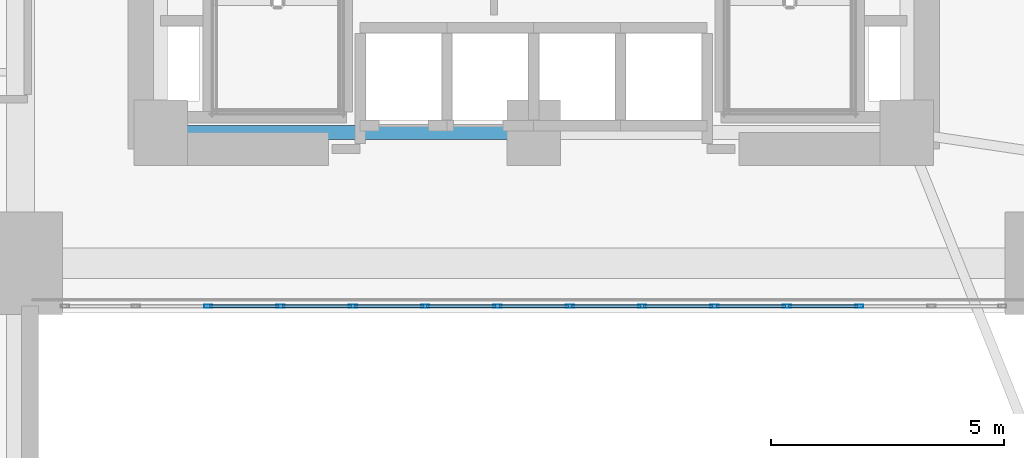
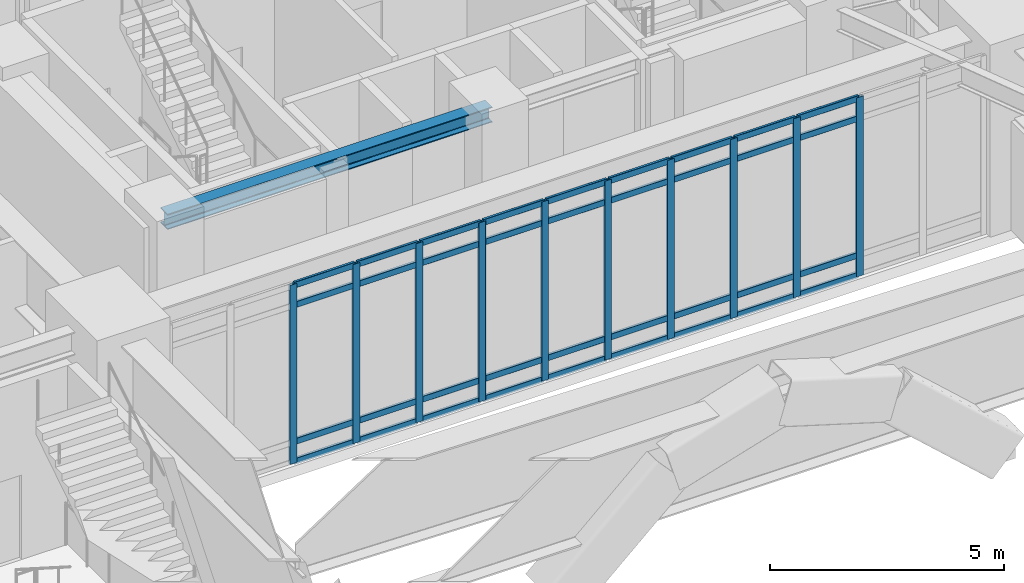
# One storey, part 6 of 25: 46 members, 1 beam, 1 element without a shape of its own.
"""IFC4 building model written with IfcOpenShell, lengths in metres."""

import ifcopenshell
import ifcopenshell.guid

model = None  # the IFC model being written
_history = None  # IfcOwnerHistory: only IFC2X3 demands one
_inside = {}  # id of a spatial element -> (the spatial element, [elements in it])
_under = {}  # id of a project, library or spatial element -> (it, [spatial elements below it])
_declared = {}  # id of a project -> (the project, [libraries it declares])
_typed = {}  # id of a type object -> (the type object, [elements of that type])
_made_of = {}  # id of a material, layer set ... -> (it, [elements and type objects made of it])


def new_model(schema):
    """Start an empty IFC model of exactly this schema.

    Asked for "IFC4X3", IfcOpenShell would pick the latest addendum, in which some entities
    have other attributes; the version numbers below select the first issue.
    IFC2X3 requires an IfcOwnerHistory on every rooted entity: one is made here for all.
    """
    global model, _history
    if schema == "IFC4X3":
        model = ifcopenshell.file(schema_version=(4, 3, 0, 0))
    else:
        model = ifcopenshell.file(schema=schema)
    _inside.clear()
    _under.clear()
    _declared.clear()
    _typed.clear()
    _made_of.clear()
    _history = None
    if model.schema == "IFC2X3":
        org = make("IfcOrganization", Name="unknown")
        user = make(
            "IfcPersonAndOrganization",
            ThePerson=make("IfcPerson", FamilyName="unknown"),
            TheOrganization=org,
        )
        app = make(
            "IfcApplication",
            ApplicationDeveloper=org,
            Version="unknown",
            ApplicationFullName="unknown",
            ApplicationIdentifier="unknown",
        )
        _history = make(
            "IfcOwnerHistory",
            OwningUser=user,
            OwningApplication=app,
            ChangeAction="ADDED",
            CreationDate=0,
        )
    return model


def make(cls, **values):
    """One entity of the class cls with the attributes given. An attribute that is None is left unset."""
    return model.create_entity(
        cls, **{name: value for name, value in values.items() if value is not None}
    )


def rooted(cls, **values):
    """An entity with a GlobalId (a new one), such as an element, a storey or a relation."""
    return make(cls, GlobalId=ifcopenshell.guid.new(), OwnerHistory=_history, **values)


def si_unit(unit_type, name, prefix=None):
    """IfcSIUnit, for example si_unit("LENGTHUNIT", "METRE", prefix="MILLI")."""
    return make("IfcSIUnit", UnitType=unit_type, Prefix=prefix, Name=name)


def assignment(units):
    """IfcUnitAssignment: the units of a project."""
    return None if units is None else make("IfcUnitAssignment", Units=units)


def point(xyz):
    """IfcCartesianPoint."""
    return None if xyz is None else make("IfcCartesianPoint", Coordinates=xyz)


def direction(xyz):
    """IfcDirection."""
    return None if xyz is None else make("IfcDirection", DirectionRatios=xyz)


def frame(location, z_axis=None, x_axis=None):
    """IfcAxis2Placement3D, a coordinate frame: its origin and axes. An axis left out is left unset."""
    return make(
        "IfcAxis2Placement3D",
        Location=point(location),
        Axis=direction(z_axis),
        RefDirection=direction(x_axis),
    )


def frame_2d(location, x_axis=None):
    """IfcAxis2Placement2D, a coordinate frame in the plane: its origin and x axis."""
    return make(
        "IfcAxis2Placement2D", Location=point(location), RefDirection=direction(x_axis)
    )


def origin():
    """The frame at (0, 0, 0) with its axes left unset."""
    return frame((0.0, 0.0, 0.0))


def origin_2d():
    """The frame at (0, 0) in the plane with its x axis left unset."""
    return frame_2d((0.0, 0.0))


def place(relative_to, where):
    """IfcLocalPlacement: puts the frame where relative to a parent placement (None: the world)."""
    return make(
        "IfcLocalPlacement", PlacementRelTo=relative_to, RelativePlacement=where
    )


def context(
    kind, dimensions, precision=None, world=None, true_north=None, identifier=None
):
    """IfcGeometricRepresentationContext, for example the 3D "Model" context."""
    return make(
        "IfcGeometricRepresentationContext",
        ContextIdentifier=identifier,
        ContextType=kind,
        CoordinateSpaceDimension=dimensions,
        Precision=precision,
        WorldCoordinateSystem=world,
        TrueNorth=true_north,
    )


def subcontext(parent, identifier, kind, view, scale=None):
    """IfcGeometricRepresentationSubContext, for example "Body" below "Model"."""
    return make(
        "IfcGeometricRepresentationSubContext",
        ContextIdentifier=identifier,
        ContextType=kind,
        ParentContext=parent,
        TargetScale=scale,
        TargetView=view,
    )


def project(units=None, contexts=None):
    """IfcProject with its units and contexts."""
    return rooted(
        "IfcProject",
        Name="project",
        RepresentationContexts=contexts,
        UnitsInContext=assignment(units),
    )


def spatial(cls, under=None, at=None, **own):
    """A site, building, storey or space (cls), placed at a placement, below another one or the project."""
    s = rooted(cls, ObjectPlacement=at, **own)
    if under is not None:
        _under.setdefault(under.id(), (under, []))[1].append(s)
    return s


def profile(cls, at=None, kind="AREA", **sizes):
    """A parametric profile (cls). Its sizes go by their IFC names, for example OverallWidth=200.0."""
    return make(cls, ProfileType=kind, Position=at, **sizes)


def hollow_rectangle(**sizes):
    """IfcRectangleHollowProfileDef."""
    return profile("IfcRectangleHollowProfileDef", **sizes)


def i_section(**sizes):
    """IfcIShapeProfileDef."""
    return profile("IfcIShapeProfileDef", **sizes)


def extrude(swept, where, along, depth):
    """IfcExtrudedAreaSolid: the profile swept, set in the frame where, extruded along a direction by depth."""
    return make(
        "IfcExtrudedAreaSolid",
        SweptArea=swept,
        Position=where,
        ExtrudedDirection=direction(along),
        Depth=depth,
    )


def shape(context_of_items, identifier, shape_type, items):
    """IfcShapeRepresentation: the items that make up one representation, for example the "Body"."""
    return make(
        "IfcShapeRepresentation",
        ContextOfItems=context_of_items,
        RepresentationIdentifier=identifier,
        RepresentationType=shape_type,
        Items=items,
    )


def material(Name=None, Category=None):
    """IfcMaterial."""
    return make("IfcMaterial", Name=Name, Category=Category)


def layer(
    of_material, thickness, ventilated=None, Name=None, Category=None, Priority=None
):
    """IfcMaterialLayer: one layer of a wall or slab, of a material (None: an air gap)."""
    return make(
        "IfcMaterialLayer",
        Material=of_material,
        LayerThickness=thickness,
        IsVentilated=ventilated,
        Name=Name,
        Category=Category,
        Priority=Priority,
    )


def layer_set(layers, Name=None):
    """IfcMaterialLayerSet."""
    return make("IfcMaterialLayerSet", MaterialLayers=layers, LayerSetName=Name)


def material_profile(
    of_material, cross_section, Name=None, Category=None, Priority=None
):
    """IfcMaterialProfile: a cross section and its material."""
    return make(
        "IfcMaterialProfile",
        Name=Name,
        Material=of_material,
        Profile=cross_section,
        Priority=Priority,
        Category=Category,
    )


def profile_set(profiles, Name=None, composite=None):
    """IfcMaterialProfileSet."""
    return make(
        "IfcMaterialProfileSet",
        Name=Name,
        MaterialProfiles=profiles,
        CompositeProfile=composite,
    )


def made_of(thing, what):
    """Note that an element or type object is made of a material, layer set ...; save() writes the relation."""
    if what is not None:
        _made_of.setdefault(what.id(), (what, []))[1].append(thing)
    return thing


def type_object(cls, material=None, **own):
    """A type object (cls), such as IfcWallType, which elements share."""
    return made_of(rooted(cls, **own), material)


def element(
    cls,
    number,
    at=None,
    inside=None,
    cuts=None,
    type_object=None,
    material=None,
    context=None,
    identifier="Body",
    shape_type=None,
    held_by="IfcProductDefinitionShape",
    body=None,
    shapes=None,
    **own,
):
    """One element of the class cls, such as IfcWall. Its Tag is "e" and its number.

    at: its placement. inside: the storey or other place that contains it. cuts: it is an
    opening in that element (IfcRelVoidsElement). A single representation is given by context,
    identifier, shape_type and body (its items); several are given by shapes. held_by: the class
    of the entity that holds the representations. save() writes the other relations.
    """
    e = rooted(cls, Tag="e%d" % number, ObjectPlacement=at, **own)
    if body is not None:
        shapes = [shape(context, identifier, shape_type, body)]
    if shapes is not None:
        e.Representation = make(held_by, Representations=shapes)
    if inside is not None:
        _inside.setdefault(inside.id(), (inside, []))[1].append(e)
    if cuts is not None:
        rooted(
            "IfcRelVoidsElement", RelatingBuildingElement=cuts, RelatedOpeningElement=e
        )
    if type_object is not None:
        _typed.setdefault(type_object.id(), (type_object, []))[1].append(e)
    return made_of(e, material)


def aggregate(whole, parts):
    """IfcRelAggregates: a whole, such as a stair, and the parts it consists of."""
    return rooted("IfcRelAggregates", RelatingObject=whole, RelatedObjects=parts)


def save(model, path):
    """Write the relations noted so far, then the file.

    IfcRelAggregates (storeys below a building ...), IfcRelContainedInSpatialStructure (elements
    in a storey), IfcRelDefinesByType, IfcRelAssociatesMaterial and IfcRelDeclares: one each for
    every whole, place, type object, material and project.
    """
    for whole, parts in _under.values():
        aggregate(whole, parts)
    for where, things in _inside.values():
        rooted(
            "IfcRelContainedInSpatialStructure",
            RelatedElements=things,
            RelatingStructure=where,
        )
    for kind, things in _typed.values():
        rooted("IfcRelDefinesByType", RelatedObjects=things, RelatingType=kind)
    for what, things in _made_of.values():
        rooted("IfcRelAssociatesMaterial", RelatedObjects=things, RelatingMaterial=what)
    for by, libraries in _declared.values():
        rooted("IfcRelDeclares", RelatingContext=by, RelatedDefinitions=libraries)
    model.write(path)


model = new_model("IFC4")

# Units and contexts
model_context = context("Model", 3, precision=1e-05, world=origin(), true_north=direction((0.0, 1.0)))
body_context = subcontext(model_context, "Body", "Model", "MODEL_VIEW")
ifc_project = project(units=[si_unit("LENGTHUNIT", "METRE"), si_unit("AREAUNIT", "SQUARE_METRE"), si_unit("VOLUMEUNIT", "CUBIC_METRE"), si_unit("PLANEANGLEUNIT", "RADIAN"), si_unit("MASSUNIT", "GRAM", prefix="KILO")], contexts=[model_context])

# Site, building, storey
site_placement = place(None, origin())
site = spatial("IfcSite", under=ifc_project, at=site_placement, CompositionType="ELEMENT")
building_placement = place(site_placement, origin())
building = spatial("IfcBuilding", under=site, at=building_placement, Name="Ndelora Gate Hotel", CompositionType="ELEMENT")
storey_placement = place(building_placement, frame((0.0, 0.0, 11.0)))
storey = spatial("IfcBuildingStorey", under=building, at=storey_placement, Name="L02", CompositionType="ELEMENT", Elevation=11.0)

# Beam
ifc_material_1 = material(Name="Steel S355", Category="steel")
ifc_material_profile_1 = material_profile(ifc_material_1, i_section(OverallWidth=0.300048828125, OverallDepth=0.39990234375, WebThickness=0.013427734375, FlangeThickness=0.02392578125, FilletRadius=0.027099609375, at=origin_2d()), Name="HEB 400")
ifc_profile_set_1 = profile_set([ifc_material_profile_1], Name="Steel S355")
beam_type = type_object("IfcBeamType", Name="BM-CORE-400", PredefinedType="BEAM", material=ifc_profile_set_1)
beam_placement = place(storey_placement, frame((-8.0, -6.60009765625, 4.4599609375), z_axis=(1.0, 0.0, 0.0), x_axis=(0.0, 1.0, 0.0)))
element("IfcBeam", 1, at=beam_placement, inside=storey, type_object=beam_type, Name="L02 Core Tie Girder CC1-CC2", PredefinedType="BEAM", context=body_context, shape_type="SweptSolid", body=[
    extrude(i_section(OverallWidth=0.300048828125, OverallDepth=0.39990234375, WebThickness=0.013427734375, FlangeThickness=0.02392578125, FilletRadius=0.027099609375, at=origin_2d()), origin(), (0.0, 0.0, 1.0), 8.0),
])

# Curtain wall, members
ifc_material_2 = material(Name="Bronze Anodised Unitised Aluminium and Low-E Glass", Category="aluminium")
ifc_layer = layer(ifc_material_2, 0.239990234375)
ifc_layer_set = layer_set([ifc_layer], Name="Bronze Anodised Unitised Aluminium and Low-E Glass")
curtain_wall_type = type_object("IfcCurtainWallType", Name="CW-SYS-1", PredefinedType="NOTDEFINED", material=ifc_layer_set)
curtain_wall_placement = place(storey_placement, origin())
curtain_wall = element("IfcCurtainWall", 2, at=curtain_wall_placement, inside=storey, type_object=curtain_wall_type, Name="L02 South Portal Arch Concourse Curtain Wall CW1", PredefinedType="NOTDEFINED")
ifc_material_3 = material(Name="Bronze Anodised Aluminium 6063-T6", Category="aluminium")
ifc_material_profile_2 = material_profile(ifc_material_3, hollow_rectangle(XDim=0.070068359375, YDim=0.179931640625, WallThickness=0.0048828125, InnerFilletRadius=0.0048828125, OuterFilletRadius=0.010009765625, at=origin_2d()), Name="ALU 180x70x5")
ifc_profile_set_2 = profile_set([ifc_material_profile_2], Name="Bronze Anodised Aluminium 6063-T6")
member_type_1 = type_object("IfcMemberType", Name="MB-CW-MUL180", PredefinedType="MULLION", material=ifc_profile_set_2)
member_1_placement = place(storey_placement, frame((-6.978515625, -10.320068359375, -0.00390625), z_axis=(0.0, 0.0, 1.0), x_axis=(0.0, 1.0, 0.0)))
member_1 = element("IfcMember", 3, at=member_1_placement, type_object=member_type_1, Name="CW1 mullion 3", PredefinedType="MULLION", context=body_context, shape_type="SweptSolid", body=[
    extrude(hollow_rectangle(XDim=0.070068359375, YDim=0.179931640625, WallThickness=0.0048828125, InnerFilletRadius=0.0048828125, OuterFilletRadius=0.010009765625, at=origin_2d()), origin(), (0.0, 0.0, 1.0), 4.66796875),
])
member_2_placement = place(storey_placement, frame((-5.427734375, -10.320068359375, -0.00390625), z_axis=(0.0, 0.0, 1.0), x_axis=(0.0, 1.0, 0.0)))
member_2 = element("IfcMember", 4, at=member_2_placement, type_object=member_type_1, Name="CW1 mullion 4", PredefinedType="MULLION", context=body_context, shape_type="SweptSolid", body=[
    extrude(hollow_rectangle(XDim=0.070068359375, YDim=0.179931640625, WallThickness=0.0048828125, InnerFilletRadius=0.0048828125, OuterFilletRadius=0.010009765625, at=origin_2d()), origin(), (0.0, 0.0, 1.0), 4.66796875),
])
member_3_placement = place(storey_placement, frame((-3.876953125, -10.320068359375, -0.00390625), z_axis=(0.0, 0.0, 1.0), x_axis=(0.0, 1.0, 0.0)))
member_3 = element("IfcMember", 5, at=member_3_placement, type_object=member_type_1, Name="CW1 mullion 5", PredefinedType="MULLION", context=body_context, shape_type="SweptSolid", body=[
    extrude(hollow_rectangle(XDim=0.070068359375, YDim=0.179931640625, WallThickness=0.0048828125, InnerFilletRadius=0.0048828125, OuterFilletRadius=0.010009765625, at=origin_2d()), origin(), (0.0, 0.0, 1.0), 4.66796875),
])
member_4_placement = place(storey_placement, frame((-2.326171875, -10.320068359375, -0.00390625), z_axis=(0.0, 0.0, 1.0), x_axis=(0.0, 1.0, 0.0)))
member_4 = element("IfcMember", 6, at=member_4_placement, type_object=member_type_1, Name="CW1 mullion 6", PredefinedType="MULLION", context=body_context, shape_type="SweptSolid", body=[
    extrude(hollow_rectangle(XDim=0.070068359375, YDim=0.179931640625, WallThickness=0.0048828125, InnerFilletRadius=0.0048828125, OuterFilletRadius=0.010009765625, at=origin_2d()), origin(), (0.0, 0.0, 1.0), 4.66796875),
])
member_5_placement = place(storey_placement, frame((-0.775390625, -10.320068359375, -0.00390625), z_axis=(0.0, 0.0, 1.0), x_axis=(0.0, 1.0, 0.0)))
member_5 = element("IfcMember", 7, at=member_5_placement, type_object=member_type_1, Name="CW1 mullion 7", PredefinedType="MULLION", context=body_context, shape_type="SweptSolid", body=[
    extrude(hollow_rectangle(XDim=0.070068359375, YDim=0.179931640625, WallThickness=0.0048828125, InnerFilletRadius=0.0048828125, OuterFilletRadius=0.010009765625, at=origin_2d()), origin(), (0.0, 0.0, 1.0), 4.66796875),
])
member_6_placement = place(storey_placement, frame((0.775390625, -10.320068359375, -0.00390625), z_axis=(0.0, 0.0, 1.0), x_axis=(0.0, 1.0, 0.0)))
member_6 = element("IfcMember", 8, at=member_6_placement, type_object=member_type_1, Name="CW1 mullion 8", PredefinedType="MULLION", context=body_context, shape_type="SweptSolid", body=[
    extrude(hollow_rectangle(XDim=0.070068359375, YDim=0.179931640625, WallThickness=0.0048828125, InnerFilletRadius=0.0048828125, OuterFilletRadius=0.010009765625, at=origin_2d()), origin(), (0.0, 0.0, 1.0), 4.66796875),
])
member_7_placement = place(storey_placement, frame((2.326171875, -10.320068359375, -0.00390625), z_axis=(0.0, 0.0, 1.0), x_axis=(0.0, 1.0, 0.0)))
member_7 = element("IfcMember", 9, at=member_7_placement, type_object=member_type_1, Name="CW1 mullion 9", PredefinedType="MULLION", context=body_context, shape_type="SweptSolid", body=[
    extrude(hollow_rectangle(XDim=0.070068359375, YDim=0.179931640625, WallThickness=0.0048828125, InnerFilletRadius=0.0048828125, OuterFilletRadius=0.010009765625, at=origin_2d()), origin(), (0.0, 0.0, 1.0), 4.66796875),
])
member_8_placement = place(storey_placement, frame((3.876953125, -10.320068359375, -0.00390625), z_axis=(0.0, 0.0, 1.0), x_axis=(0.0, 1.0, 0.0)))
member_8 = element("IfcMember", 10, at=member_8_placement, type_object=member_type_1, Name="CW1 mullion 10", PredefinedType="MULLION", context=body_context, shape_type="SweptSolid", body=[
    extrude(hollow_rectangle(XDim=0.070068359375, YDim=0.179931640625, WallThickness=0.0048828125, InnerFilletRadius=0.0048828125, OuterFilletRadius=0.010009765625, at=origin_2d()), origin(), (0.0, 0.0, 1.0), 4.66796875),
])
member_9_placement = place(storey_placement, frame((5.427734375, -10.320068359375, -0.00390625), z_axis=(0.0, 0.0, 1.0), x_axis=(0.0, 1.0, 0.0)))
member_9 = element("IfcMember", 11, at=member_9_placement, type_object=member_type_1, Name="CW1 mullion 11", PredefinedType="MULLION", context=body_context, shape_type="SweptSolid", body=[
    extrude(hollow_rectangle(XDim=0.070068359375, YDim=0.179931640625, WallThickness=0.0048828125, InnerFilletRadius=0.0048828125, OuterFilletRadius=0.010009765625, at=origin_2d()), origin(), (0.0, 0.0, 1.0), 4.66796875),
])
member_10_placement = place(storey_placement, frame((6.978515625, -10.320068359375, -0.00390625), z_axis=(0.0, 0.0, 1.0), x_axis=(0.0, 1.0, 0.0)))
member_10 = element("IfcMember", 12, at=member_10_placement, type_object=member_type_1, Name="CW1 mullion 12", PredefinedType="MULLION", context=body_context, shape_type="SweptSolid", body=[
    extrude(hollow_rectangle(XDim=0.070068359375, YDim=0.179931640625, WallThickness=0.0048828125, InnerFilletRadius=0.0048828125, OuterFilletRadius=0.010009765625, at=origin_2d()), origin(), (0.0, 0.0, 1.0), 4.66796875),
])
ifc_material_profile_3 = material_profile(ifc_material_3, hollow_rectangle(XDim=0.06494140625, YDim=0.159912109375, WallThickness=0.00390625, InnerFilletRadius=0.00390625, OuterFilletRadius=0.008056640625, at=origin_2d()), Name="ALU 160x65x4")
ifc_profile_set_3 = profile_set([ifc_material_profile_3], Name="Bronze Anodised Aluminium 6063-T6")
member_type_2 = type_object("IfcMemberType", Name="MB-CW-TRN150", PredefinedType="USERDEFINED", material=ifc_profile_set_3)
member_11_placement = place(storey_placement, frame((-6.949462890625, -10.320068359375, 0.032470703125), z_axis=(1.0, 0.0, 0.0), x_axis=(0.0, 1.0, 0.0)))
member_11 = element("IfcMember", 13, at=member_11_placement, type_object=member_type_2, Name="CW1 transom 3.1", ObjectType="TRANSOM", PredefinedType="USERDEFINED", context=body_context, shape_type="SweptSolid", body=[
    extrude(hollow_rectangle(XDim=0.06494140625, YDim=0.159912109375, WallThickness=0.00390625, InnerFilletRadius=0.00390625, OuterFilletRadius=0.008056640625, at=origin_2d()), origin(), (0.0, 0.0, 1.0), 1.49267578125),
])
member_12_placement = place(storey_placement, frame((-6.949462890625, -10.320068359375, 0.550048828125), z_axis=(1.0, 0.0, 0.0), x_axis=(0.0, 1.0, 0.0)))
member_12 = element("IfcMember", 14, at=member_12_placement, type_object=member_type_2, Name="CW1 transom 3.2", ObjectType="TRANSOM", PredefinedType="USERDEFINED", context=body_context, shape_type="SweptSolid", body=[
    extrude(hollow_rectangle(XDim=0.06494140625, YDim=0.159912109375, WallThickness=0.00390625, InnerFilletRadius=0.00390625, OuterFilletRadius=0.008056640625, at=origin_2d()), origin(), (0.0, 0.0, 1.0), 1.49267578125),
])
member_13_placement = place(storey_placement, frame((-6.949462890625, -10.320068359375, 4.110107421875), z_axis=(1.0, 0.0, 0.0), x_axis=(0.0, 1.0, 0.0)))
member_13 = element("IfcMember", 15, at=member_13_placement, type_object=member_type_2, Name="CW1 transom 3.3", ObjectType="TRANSOM", PredefinedType="USERDEFINED", context=body_context, shape_type="SweptSolid", body=[
    extrude(hollow_rectangle(XDim=0.06494140625, YDim=0.159912109375, WallThickness=0.00390625, InnerFilletRadius=0.00390625, OuterFilletRadius=0.008056640625, at=origin_2d()), origin(), (0.0, 0.0, 1.0), 1.49267578125),
])
member_14_placement = place(storey_placement, frame((-6.949462890625, -10.320068359375, 4.62744140625), z_axis=(1.0, 0.0, 0.0), x_axis=(0.0, 1.0, 0.0)))
member_14 = element("IfcMember", 16, at=member_14_placement, type_object=member_type_2, Name="CW1 transom 3.4", ObjectType="TRANSOM", PredefinedType="USERDEFINED", context=body_context, shape_type="SweptSolid", body=[
    extrude(hollow_rectangle(XDim=0.06494140625, YDim=0.159912109375, WallThickness=0.00390625, InnerFilletRadius=0.00390625, OuterFilletRadius=0.008056640625, at=origin_2d()), origin(), (0.0, 0.0, 1.0), 1.49267578125),
])
member_15_placement = place(storey_placement, frame((-5.398681640625, -10.320068359375, 0.032470703125), z_axis=(1.0, 0.0, 0.0), x_axis=(0.0, 1.0, 0.0)))
member_15 = element("IfcMember", 17, at=member_15_placement, type_object=member_type_2, Name="CW1 transom 4.1", ObjectType="TRANSOM", PredefinedType="USERDEFINED", context=body_context, shape_type="SweptSolid", body=[
    extrude(hollow_rectangle(XDim=0.06494140625, YDim=0.159912109375, WallThickness=0.00390625, InnerFilletRadius=0.00390625, OuterFilletRadius=0.008056640625, at=origin_2d()), origin(), (0.0, 0.0, 1.0), 1.49267578125),
])
member_16_placement = place(storey_placement, frame((-5.398681640625, -10.320068359375, 0.550048828125), z_axis=(1.0, 0.0, 0.0), x_axis=(0.0, 1.0, 0.0)))
member_16 = element("IfcMember", 18, at=member_16_placement, type_object=member_type_2, Name="CW1 transom 4.2", ObjectType="TRANSOM", PredefinedType="USERDEFINED", context=body_context, shape_type="SweptSolid", body=[
    extrude(hollow_rectangle(XDim=0.06494140625, YDim=0.159912109375, WallThickness=0.00390625, InnerFilletRadius=0.00390625, OuterFilletRadius=0.008056640625, at=origin_2d()), origin(), (0.0, 0.0, 1.0), 1.49267578125),
])
member_17_placement = place(storey_placement, frame((-5.398681640625, -10.320068359375, 4.110107421875), z_axis=(1.0, 0.0, 0.0), x_axis=(0.0, 1.0, 0.0)))
member_17 = element("IfcMember", 19, at=member_17_placement, type_object=member_type_2, Name="CW1 transom 4.3", ObjectType="TRANSOM", PredefinedType="USERDEFINED", context=body_context, shape_type="SweptSolid", body=[
    extrude(hollow_rectangle(XDim=0.06494140625, YDim=0.159912109375, WallThickness=0.00390625, InnerFilletRadius=0.00390625, OuterFilletRadius=0.008056640625, at=origin_2d()), origin(), (0.0, 0.0, 1.0), 1.49267578125),
])
member_18_placement = place(storey_placement, frame((-5.398681640625, -10.320068359375, 4.62744140625), z_axis=(1.0, 0.0, 0.0), x_axis=(0.0, 1.0, 0.0)))
member_18 = element("IfcMember", 20, at=member_18_placement, type_object=member_type_2, Name="CW1 transom 4.4", ObjectType="TRANSOM", PredefinedType="USERDEFINED", context=body_context, shape_type="SweptSolid", body=[
    extrude(hollow_rectangle(XDim=0.06494140625, YDim=0.159912109375, WallThickness=0.00390625, InnerFilletRadius=0.00390625, OuterFilletRadius=0.008056640625, at=origin_2d()), origin(), (0.0, 0.0, 1.0), 1.49267578125),
])
member_19_placement = place(storey_placement, frame((-3.847900390625, -10.320068359375, 0.032470703125), z_axis=(1.0, 0.0, 0.0), x_axis=(0.0, 1.0, 0.0)))
member_19 = element("IfcMember", 21, at=member_19_placement, type_object=member_type_2, Name="CW1 transom 5.1", ObjectType="TRANSOM", PredefinedType="USERDEFINED", context=body_context, shape_type="SweptSolid", body=[
    extrude(hollow_rectangle(XDim=0.06494140625, YDim=0.159912109375, WallThickness=0.00390625, InnerFilletRadius=0.00390625, OuterFilletRadius=0.008056640625, at=origin_2d()), origin(), (0.0, 0.0, 1.0), 1.49267578125),
])
member_20_placement = place(storey_placement, frame((-3.847900390625, -10.320068359375, 0.550048828125), z_axis=(1.0, 0.0, 0.0), x_axis=(0.0, 1.0, 0.0)))
member_20 = element("IfcMember", 22, at=member_20_placement, type_object=member_type_2, Name="CW1 transom 5.2", ObjectType="TRANSOM", PredefinedType="USERDEFINED", context=body_context, shape_type="SweptSolid", body=[
    extrude(hollow_rectangle(XDim=0.06494140625, YDim=0.159912109375, WallThickness=0.00390625, InnerFilletRadius=0.00390625, OuterFilletRadius=0.008056640625, at=origin_2d()), origin(), (0.0, 0.0, 1.0), 1.49267578125),
])
member_21_placement = place(storey_placement, frame((-3.847900390625, -10.320068359375, 4.110107421875), z_axis=(1.0, 0.0, 0.0), x_axis=(0.0, 1.0, 0.0)))
member_21 = element("IfcMember", 23, at=member_21_placement, type_object=member_type_2, Name="CW1 transom 5.3", ObjectType="TRANSOM", PredefinedType="USERDEFINED", context=body_context, shape_type="SweptSolid", body=[
    extrude(hollow_rectangle(XDim=0.06494140625, YDim=0.159912109375, WallThickness=0.00390625, InnerFilletRadius=0.00390625, OuterFilletRadius=0.008056640625, at=origin_2d()), origin(), (0.0, 0.0, 1.0), 1.49267578125),
])
member_22_placement = place(storey_placement, frame((-3.847900390625, -10.320068359375, 4.62744140625), z_axis=(1.0, 0.0, 0.0), x_axis=(0.0, 1.0, 0.0)))
member_22 = element("IfcMember", 24, at=member_22_placement, type_object=member_type_2, Name="CW1 transom 5.4", ObjectType="TRANSOM", PredefinedType="USERDEFINED", context=body_context, shape_type="SweptSolid", body=[
    extrude(hollow_rectangle(XDim=0.06494140625, YDim=0.159912109375, WallThickness=0.00390625, InnerFilletRadius=0.00390625, OuterFilletRadius=0.008056640625, at=origin_2d()), origin(), (0.0, 0.0, 1.0), 1.49267578125),
])
member_23_placement = place(storey_placement, frame((-2.297119140625, -10.320068359375, 0.032470703125), z_axis=(1.0, 0.0, 0.0), x_axis=(0.0, 1.0, 0.0)))
member_23 = element("IfcMember", 25, at=member_23_placement, type_object=member_type_2, Name="CW1 transom 6.1", ObjectType="TRANSOM", PredefinedType="USERDEFINED", context=body_context, shape_type="SweptSolid", body=[
    extrude(hollow_rectangle(XDim=0.06494140625, YDim=0.159912109375, WallThickness=0.00390625, InnerFilletRadius=0.00390625, OuterFilletRadius=0.008056640625, at=origin_2d()), origin(), (0.0, 0.0, 1.0), 1.49267578125),
])
member_24_placement = place(storey_placement, frame((-2.297119140625, -10.320068359375, 0.550048828125), z_axis=(1.0, 0.0, 0.0), x_axis=(0.0, 1.0, 0.0)))
member_24 = element("IfcMember", 26, at=member_24_placement, type_object=member_type_2, Name="CW1 transom 6.2", ObjectType="TRANSOM", PredefinedType="USERDEFINED", context=body_context, shape_type="SweptSolid", body=[
    extrude(hollow_rectangle(XDim=0.06494140625, YDim=0.159912109375, WallThickness=0.00390625, InnerFilletRadius=0.00390625, OuterFilletRadius=0.008056640625, at=origin_2d()), origin(), (0.0, 0.0, 1.0), 1.49267578125),
])
member_25_placement = place(storey_placement, frame((-2.297119140625, -10.320068359375, 4.110107421875), z_axis=(1.0, 0.0, 0.0), x_axis=(0.0, 1.0, 0.0)))
member_25 = element("IfcMember", 27, at=member_25_placement, type_object=member_type_2, Name="CW1 transom 6.3", ObjectType="TRANSOM", PredefinedType="USERDEFINED", context=body_context, shape_type="SweptSolid", body=[
    extrude(hollow_rectangle(XDim=0.06494140625, YDim=0.159912109375, WallThickness=0.00390625, InnerFilletRadius=0.00390625, OuterFilletRadius=0.008056640625, at=origin_2d()), origin(), (0.0, 0.0, 1.0), 1.49267578125),
])
member_26_placement = place(storey_placement, frame((-2.297119140625, -10.320068359375, 4.62744140625), z_axis=(1.0, 0.0, 0.0), x_axis=(0.0, 1.0, 0.0)))
member_26 = element("IfcMember", 28, at=member_26_placement, type_object=member_type_2, Name="CW1 transom 6.4", ObjectType="TRANSOM", PredefinedType="USERDEFINED", context=body_context, shape_type="SweptSolid", body=[
    extrude(hollow_rectangle(XDim=0.06494140625, YDim=0.159912109375, WallThickness=0.00390625, InnerFilletRadius=0.00390625, OuterFilletRadius=0.008056640625, at=origin_2d()), origin(), (0.0, 0.0, 1.0), 1.49267578125),
])
member_27_placement = place(storey_placement, frame((-0.746337890625, -10.320068359375, 0.032470703125), z_axis=(1.0, 0.0, 0.0), x_axis=(0.0, 1.0, 0.0)))
member_27 = element("IfcMember", 29, at=member_27_placement, type_object=member_type_2, Name="CW1 transom 7.1", ObjectType="TRANSOM", PredefinedType="USERDEFINED", context=body_context, shape_type="SweptSolid", body=[
    extrude(hollow_rectangle(XDim=0.06494140625, YDim=0.159912109375, WallThickness=0.00390625, InnerFilletRadius=0.00390625, OuterFilletRadius=0.008056640625, at=origin_2d()), origin(), (0.0, 0.0, 1.0), 1.49267578125),
])
member_28_placement = place(storey_placement, frame((-0.746337890625, -10.320068359375, 0.550048828125), z_axis=(1.0, 0.0, 0.0), x_axis=(0.0, 1.0, 0.0)))
member_28 = element("IfcMember", 30, at=member_28_placement, type_object=member_type_2, Name="CW1 transom 7.2", ObjectType="TRANSOM", PredefinedType="USERDEFINED", context=body_context, shape_type="SweptSolid", body=[
    extrude(hollow_rectangle(XDim=0.06494140625, YDim=0.159912109375, WallThickness=0.00390625, InnerFilletRadius=0.00390625, OuterFilletRadius=0.008056640625, at=origin_2d()), origin(), (0.0, 0.0, 1.0), 1.49267578125),
])
member_29_placement = place(storey_placement, frame((-0.746337890625, -10.320068359375, 4.110107421875), z_axis=(1.0, 0.0, 0.0), x_axis=(0.0, 1.0, 0.0)))
member_29 = element("IfcMember", 31, at=member_29_placement, type_object=member_type_2, Name="CW1 transom 7.3", ObjectType="TRANSOM", PredefinedType="USERDEFINED", context=body_context, shape_type="SweptSolid", body=[
    extrude(hollow_rectangle(XDim=0.06494140625, YDim=0.159912109375, WallThickness=0.00390625, InnerFilletRadius=0.00390625, OuterFilletRadius=0.008056640625, at=origin_2d()), origin(), (0.0, 0.0, 1.0), 1.49267578125),
])
member_30_placement = place(storey_placement, frame((-0.746337890625, -10.320068359375, 4.62744140625), z_axis=(1.0, 0.0, 0.0), x_axis=(0.0, 1.0, 0.0)))
member_30 = element("IfcMember", 32, at=member_30_placement, type_object=member_type_2, Name="CW1 transom 7.4", ObjectType="TRANSOM", PredefinedType="USERDEFINED", context=body_context, shape_type="SweptSolid", body=[
    extrude(hollow_rectangle(XDim=0.06494140625, YDim=0.159912109375, WallThickness=0.00390625, InnerFilletRadius=0.00390625, OuterFilletRadius=0.008056640625, at=origin_2d()), origin(), (0.0, 0.0, 1.0), 1.49267578125),
])
member_31_placement = place(storey_placement, frame((0.804443359375, -10.320068359375, 0.032470703125), z_axis=(1.0, 0.0, 0.0), x_axis=(0.0, 1.0, 0.0)))
member_31 = element("IfcMember", 33, at=member_31_placement, type_object=member_type_2, Name="CW1 transom 8.1", ObjectType="TRANSOM", PredefinedType="USERDEFINED", context=body_context, shape_type="SweptSolid", body=[
    extrude(hollow_rectangle(XDim=0.06494140625, YDim=0.159912109375, WallThickness=0.00390625, InnerFilletRadius=0.00390625, OuterFilletRadius=0.008056640625, at=origin_2d()), origin(), (0.0, 0.0, 1.0), 1.49267578125),
])
member_32_placement = place(storey_placement, frame((0.804443359375, -10.320068359375, 0.550048828125), z_axis=(1.0, 0.0, 0.0), x_axis=(0.0, 1.0, 0.0)))
member_32 = element("IfcMember", 34, at=member_32_placement, type_object=member_type_2, Name="CW1 transom 8.2", ObjectType="TRANSOM", PredefinedType="USERDEFINED", context=body_context, shape_type="SweptSolid", body=[
    extrude(hollow_rectangle(XDim=0.06494140625, YDim=0.159912109375, WallThickness=0.00390625, InnerFilletRadius=0.00390625, OuterFilletRadius=0.008056640625, at=origin_2d()), origin(), (0.0, 0.0, 1.0), 1.49267578125),
])
member_33_placement = place(storey_placement, frame((0.804443359375, -10.320068359375, 4.110107421875), z_axis=(1.0, 0.0, 0.0), x_axis=(0.0, 1.0, 0.0)))
member_33 = element("IfcMember", 35, at=member_33_placement, type_object=member_type_2, Name="CW1 transom 8.3", ObjectType="TRANSOM", PredefinedType="USERDEFINED", context=body_context, shape_type="SweptSolid", body=[
    extrude(hollow_rectangle(XDim=0.06494140625, YDim=0.159912109375, WallThickness=0.00390625, InnerFilletRadius=0.00390625, OuterFilletRadius=0.008056640625, at=origin_2d()), origin(), (0.0, 0.0, 1.0), 1.49267578125),
])
member_34_placement = place(storey_placement, frame((0.804443359375, -10.320068359375, 4.62744140625), z_axis=(1.0, 0.0, 0.0), x_axis=(0.0, 1.0, 0.0)))
member_34 = element("IfcMember", 36, at=member_34_placement, type_object=member_type_2, Name="CW1 transom 8.4", ObjectType="TRANSOM", PredefinedType="USERDEFINED", context=body_context, shape_type="SweptSolid", body=[
    extrude(hollow_rectangle(XDim=0.06494140625, YDim=0.159912109375, WallThickness=0.00390625, InnerFilletRadius=0.00390625, OuterFilletRadius=0.008056640625, at=origin_2d()), origin(), (0.0, 0.0, 1.0), 1.49267578125),
])
member_35_placement = place(storey_placement, frame((2.355224609375, -10.320068359375, 0.032470703125), z_axis=(1.0, 0.0, 0.0), x_axis=(0.0, 1.0, 0.0)))
member_35 = element("IfcMember", 37, at=member_35_placement, type_object=member_type_2, Name="CW1 transom 9.1", ObjectType="TRANSOM", PredefinedType="USERDEFINED", context=body_context, shape_type="SweptSolid", body=[
    extrude(hollow_rectangle(XDim=0.06494140625, YDim=0.159912109375, WallThickness=0.00390625, InnerFilletRadius=0.00390625, OuterFilletRadius=0.008056640625, at=origin_2d()), origin(), (0.0, 0.0, 1.0), 1.49267578125),
])
member_36_placement = place(storey_placement, frame((2.355224609375, -10.320068359375, 0.550048828125), z_axis=(1.0, 0.0, 0.0), x_axis=(0.0, 1.0, 0.0)))
member_36 = element("IfcMember", 38, at=member_36_placement, type_object=member_type_2, Name="CW1 transom 9.2", ObjectType="TRANSOM", PredefinedType="USERDEFINED", context=body_context, shape_type="SweptSolid", body=[
    extrude(hollow_rectangle(XDim=0.06494140625, YDim=0.159912109375, WallThickness=0.00390625, InnerFilletRadius=0.00390625, OuterFilletRadius=0.008056640625, at=origin_2d()), origin(), (0.0, 0.0, 1.0), 1.49267578125),
])
member_37_placement = place(storey_placement, frame((2.355224609375, -10.320068359375, 4.110107421875), z_axis=(1.0, 0.0, 0.0), x_axis=(0.0, 1.0, 0.0)))
member_37 = element("IfcMember", 39, at=member_37_placement, type_object=member_type_2, Name="CW1 transom 9.3", ObjectType="TRANSOM", PredefinedType="USERDEFINED", context=body_context, shape_type="SweptSolid", body=[
    extrude(hollow_rectangle(XDim=0.06494140625, YDim=0.159912109375, WallThickness=0.00390625, InnerFilletRadius=0.00390625, OuterFilletRadius=0.008056640625, at=origin_2d()), origin(), (0.0, 0.0, 1.0), 1.49267578125),
])
member_38_placement = place(storey_placement, frame((2.355224609375, -10.320068359375, 4.62744140625), z_axis=(1.0, 0.0, 0.0), x_axis=(0.0, 1.0, 0.0)))
member_38 = element("IfcMember", 40, at=member_38_placement, type_object=member_type_2, Name="CW1 transom 9.4", ObjectType="TRANSOM", PredefinedType="USERDEFINED", context=body_context, shape_type="SweptSolid", body=[
    extrude(hollow_rectangle(XDim=0.06494140625, YDim=0.159912109375, WallThickness=0.00390625, InnerFilletRadius=0.00390625, OuterFilletRadius=0.008056640625, at=origin_2d()), origin(), (0.0, 0.0, 1.0), 1.49267578125),
])
member_39_placement = place(storey_placement, frame((3.906005859375, -10.320068359375, 0.032470703125), z_axis=(1.0, 0.0, 0.0), x_axis=(0.0, 1.0, 0.0)))
member_39 = element("IfcMember", 41, at=member_39_placement, type_object=member_type_2, Name="CW1 transom 10.1", ObjectType="TRANSOM", PredefinedType="USERDEFINED", context=body_context, shape_type="SweptSolid", body=[
    extrude(hollow_rectangle(XDim=0.06494140625, YDim=0.159912109375, WallThickness=0.00390625, InnerFilletRadius=0.00390625, OuterFilletRadius=0.008056640625, at=origin_2d()), origin(), (0.0, 0.0, 1.0), 1.49267578125),
])
member_40_placement = place(storey_placement, frame((3.906005859375, -10.320068359375, 0.550048828125), z_axis=(1.0, 0.0, 0.0), x_axis=(0.0, 1.0, 0.0)))
member_40 = element("IfcMember", 42, at=member_40_placement, type_object=member_type_2, Name="CW1 transom 10.2", ObjectType="TRANSOM", PredefinedType="USERDEFINED", context=body_context, shape_type="SweptSolid", body=[
    extrude(hollow_rectangle(XDim=0.06494140625, YDim=0.159912109375, WallThickness=0.00390625, InnerFilletRadius=0.00390625, OuterFilletRadius=0.008056640625, at=origin_2d()), origin(), (0.0, 0.0, 1.0), 1.49267578125),
])
member_41_placement = place(storey_placement, frame((3.906005859375, -10.320068359375, 4.110107421875), z_axis=(1.0, 0.0, 0.0), x_axis=(0.0, 1.0, 0.0)))
member_41 = element("IfcMember", 43, at=member_41_placement, type_object=member_type_2, Name="CW1 transom 10.3", ObjectType="TRANSOM", PredefinedType="USERDEFINED", context=body_context, shape_type="SweptSolid", body=[
    extrude(hollow_rectangle(XDim=0.06494140625, YDim=0.159912109375, WallThickness=0.00390625, InnerFilletRadius=0.00390625, OuterFilletRadius=0.008056640625, at=origin_2d()), origin(), (0.0, 0.0, 1.0), 1.49267578125),
])
member_42_placement = place(storey_placement, frame((3.906005859375, -10.320068359375, 4.62744140625), z_axis=(1.0, 0.0, 0.0), x_axis=(0.0, 1.0, 0.0)))
member_42 = element("IfcMember", 44, at=member_42_placement, type_object=member_type_2, Name="CW1 transom 10.4", ObjectType="TRANSOM", PredefinedType="USERDEFINED", context=body_context, shape_type="SweptSolid", body=[
    extrude(hollow_rectangle(XDim=0.06494140625, YDim=0.159912109375, WallThickness=0.00390625, InnerFilletRadius=0.00390625, OuterFilletRadius=0.008056640625, at=origin_2d()), origin(), (0.0, 0.0, 1.0), 1.49267578125),
])
member_43_placement = place(storey_placement, frame((5.456787109375, -10.320068359375, 0.032470703125), z_axis=(1.0, 0.0, 0.0), x_axis=(0.0, 1.0, 0.0)))
member_43 = element("IfcMember", 45, at=member_43_placement, type_object=member_type_2, Name="CW1 transom 11.1", ObjectType="TRANSOM", PredefinedType="USERDEFINED", context=body_context, shape_type="SweptSolid", body=[
    extrude(hollow_rectangle(XDim=0.06494140625, YDim=0.159912109375, WallThickness=0.00390625, InnerFilletRadius=0.00390625, OuterFilletRadius=0.008056640625, at=origin_2d()), origin(), (0.0, 0.0, 1.0), 1.49267578125),
])
member_44_placement = place(storey_placement, frame((5.456787109375, -10.320068359375, 0.550048828125), z_axis=(1.0, 0.0, 0.0), x_axis=(0.0, 1.0, 0.0)))
member_44 = element("IfcMember", 46, at=member_44_placement, type_object=member_type_2, Name="CW1 transom 11.2", ObjectType="TRANSOM", PredefinedType="USERDEFINED", context=body_context, shape_type="SweptSolid", body=[
    extrude(hollow_rectangle(XDim=0.06494140625, YDim=0.159912109375, WallThickness=0.00390625, InnerFilletRadius=0.00390625, OuterFilletRadius=0.008056640625, at=origin_2d()), origin(), (0.0, 0.0, 1.0), 1.49267578125),
])
member_45_placement = place(storey_placement, frame((5.456787109375, -10.320068359375, 4.110107421875), z_axis=(1.0, 0.0, 0.0), x_axis=(0.0, 1.0, 0.0)))
member_45 = element("IfcMember", 47, at=member_45_placement, type_object=member_type_2, Name="CW1 transom 11.3", ObjectType="TRANSOM", PredefinedType="USERDEFINED", context=body_context, shape_type="SweptSolid", body=[
    extrude(hollow_rectangle(XDim=0.06494140625, YDim=0.159912109375, WallThickness=0.00390625, InnerFilletRadius=0.00390625, OuterFilletRadius=0.008056640625, at=origin_2d()), origin(), (0.0, 0.0, 1.0), 1.49267578125),
])
member_46_placement = place(storey_placement, frame((5.456787109375, -10.320068359375, 4.62744140625), z_axis=(1.0, 0.0, 0.0), x_axis=(0.0, 1.0, 0.0)))
member_46 = element("IfcMember", 48, at=member_46_placement, type_object=member_type_2, Name="CW1 transom 11.4", ObjectType="TRANSOM", PredefinedType="USERDEFINED", context=body_context, shape_type="SweptSolid", body=[
    extrude(hollow_rectangle(XDim=0.06494140625, YDim=0.159912109375, WallThickness=0.00390625, InnerFilletRadius=0.00390625, OuterFilletRadius=0.008056640625, at=origin_2d()), origin(), (0.0, 0.0, 1.0), 1.49267578125),
])
aggregate(curtain_wall, [member_1, member_2, member_3, member_4, member_5, member_6, member_7, member_8, member_9, member_10, member_11, member_12, member_13, member_14, member_15, member_16, member_17, member_18, member_19, member_20, member_21, member_22, member_23, member_24, member_25, member_26, member_27, member_28, member_29, member_30, member_31, member_32, member_33, member_34, member_35, member_36, member_37, member_38, member_39, member_40, member_41, member_42, member_43, member_44, member_45, member_46])

save(model, "model.ifc")
